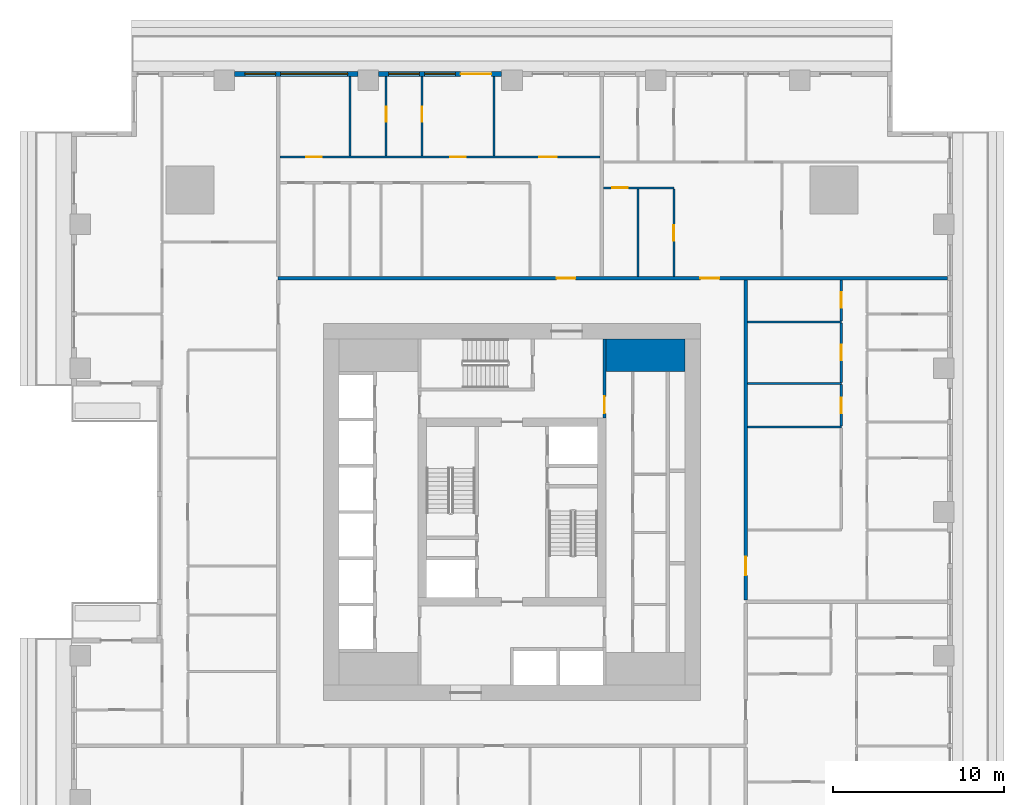
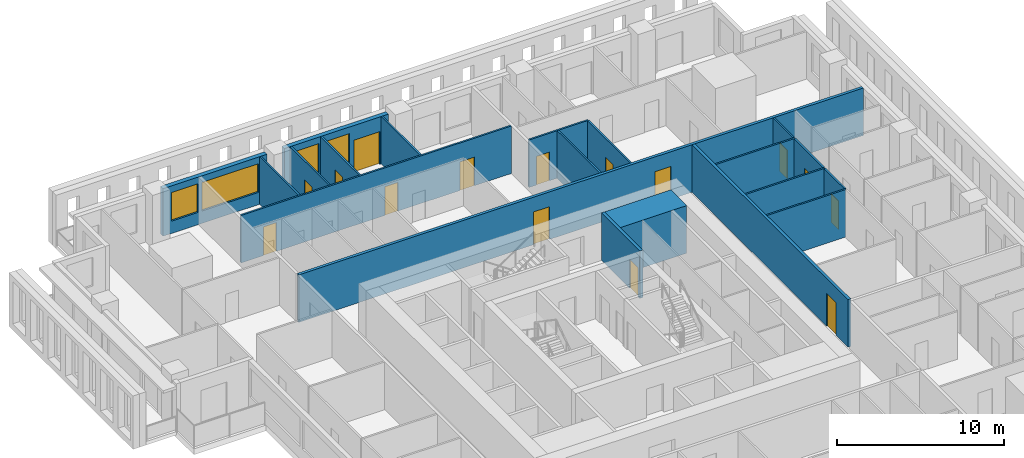
# One storey, part 8 of 15: 20 walls, 15 doors, 4 windows, 19 openings.
"""IFC4 building model written with IfcOpenShell, lengths in metres."""

from ifc_helpers import new_model, si_unit, direction, frame, frame_2d, origin, place, context, subcontext, project, spatial, rectangle, extrude, material, layer, layer_set, type_object, element, fill, save


model = new_model("IFC4")

# Units and contexts
model_context = context("Model", 3, precision=1e-05, world=origin(), true_north=direction((0.0, 1.0)))
body_context = subcontext(model_context, "Body", "Model", "MODEL_VIEW")
ifc_project = project(units=[si_unit("LENGTHUNIT", "METRE"), si_unit("AREAUNIT", "SQUARE_METRE"), si_unit("VOLUMEUNIT", "CUBIC_METRE"), si_unit("PLANEANGLEUNIT", "RADIAN"), si_unit("MASSUNIT", "GRAM", prefix="KILO")], contexts=[model_context])

# Site, building, storey
site_placement = place(None, origin())
site = spatial("IfcSite", under=ifc_project, at=site_placement, CompositionType="ELEMENT")
building_placement = place(site_placement, origin())
building = spatial("IfcBuilding", under=site, at=building_placement, Name="Khepri Terraces", CompositionType="ELEMENT")
storey_placement = place(building_placement, frame((0.0, 0.0, 94.800048828125)))
storey = spatial("IfcBuildingStorey", under=building, at=storey_placement, Name="L22", CompositionType="ELEMENT", Elevation=94.800048828125)

# Wall
ifc_material_1 = material(Name="Concrete C70/85", Category="concrete")
ifc_layer_1 = layer(ifc_material_1, 1.89990234375, Name="Concrete C70/85", Category="concrete")
ifc_layer_set_1 = layer_set([ifc_layer_1], Name="Concrete C70/85")
wall_type_1 = type_object("IfcWallType", Name="Core wall 1900 C70/85", PredefinedType="SHEAR", material=ifc_layer_set_1)
wall_1_placement = place(storey_placement, frame((5.5, 9.14990234375, 0.0), z_axis=(0.0, 0.0, 1.0), x_axis=(1.0, 0.0, 0.0)))
element("IfcWall", 1, at=wall_1_placement, inside=storey, type_object=wall_type_1, Name="Core wall PR04 L22", PredefinedType="SHEAR", context=body_context, shape_type="SweptSolid", body=[
    extrude(rectangle(XDim=4.60009765625, YDim=1.89990234375, at=frame_2d((2.300048828125, 0.0))), origin(), (0.0, 0.0, 1.0), 3.47998046875),
])

# Wall, opening, door
ifc_material_2 = material(Name="Fire-rated gypsum board partition")
ifc_layer_2 = layer(ifc_material_2, 0.199951171875, Name="Fire-rated gypsum board partition")
ifc_layer_set_2 = layer_set([ifc_layer_2], Name="Fire-rated gypsum board partition")
wall_type_2 = type_object("IfcWallType", Name="WL-CORE-PART-200", PredefinedType="PARTITIONING", material=ifc_layer_set_2)
wall_2_placement = place(storey_placement, frame((5.39990234375, 5.5, 0.0), z_axis=(0.0, 0.0, 1.0), x_axis=(0.0, 1.0, 0.0)))
wall_2 = element("IfcWall", 2, at=wall_2_placement, inside=storey, type_object=wall_type_2, Name="Core partition PT08 L22", PredefinedType="PARTITIONING", context=body_context, shape_type="SweptSolid", body=[
    extrude(rectangle(XDim=4.60009765625, YDim=0.199951171875, at=frame_2d((2.300048828125, 0.0))), origin(), (0.0, 0.0, 1.0), 3.47998046875),
])
opening_1_placement = place(wall_2_placement, frame((0.25, 0.0, 0.0)))
opening_1 = element("IfcOpeningElement", 3, at=opening_1_placement, cuts=wall_2, Name="Opening L22-C17", PredefinedType="OPENING", context=body_context, shape_type="SweptSolid", body=[
    extrude(rectangle(XDim=1.0, YDim=2.10009765625, at=frame_2d((0.5, 1.050048828125))), frame((0.0, 0.10986328125, 0.0), z_axis=(0.0, -1.0, 0.0), x_axis=(1.0, 0.0, 0.0)), (0.0, 0.0, 1.0), 0.219970703125),
])
ifc_material_3 = material(Name="Painted steel", Category="steel")
door_type_1 = type_object("IfcDoorType", Name="DR-CORE-LOBBY-1000", OperationType="NOTDEFINED", PredefinedType="DOOR", material=ifc_material_3)
door_1_placement = place(opening_1_placement, origin())
door_1 = element("IfcDoor", 4, at=door_1_placement, inside=storey, type_object=door_type_1, Name="Lobby door L22-C17", OperationType="SINGLE_SWING_LEFT", OverallHeight=2.10009765625, OverallWidth=1.0, PredefinedType="DOOR", context=body_context, shape_type="SweptSolid", body=[
    extrude(rectangle(XDim=1.0, YDim=2.10009765625, at=frame_2d((0.5, 1.050048828125))), frame((0.0, 0.02490234375, 0.0), z_axis=(0.0, -1.0, 0.0), x_axis=(1.0, 0.0, 0.0)), (0.0, 0.0, 1.0), 0.050048828125),
])
fill(opening_1, door_1)

ifc_material_4 = material(Name="Fire-rated gypsum plasterboard partition, mineral wool")
ifc_layer_3 = layer(ifc_material_4, 0.199951171875, Name="Fire-rated gypsum plasterboard partition, mineral wool")
ifc_layer_set_3 = layer_set([ifc_layer_3], Name="Fire-rated gypsum plasterboard partition, mineral wool")
wall_type_3 = type_object("IfcWallType", Name="WL-CORR-200", PredefinedType="PARTITIONING", material=ifc_layer_set_3)
wall_3_placement = place(storey_placement, frame((13.64990234375, -5.14990234375, 0.0), z_axis=(0.0, 0.0, 1.0), x_axis=(0.0, 1.0, 0.0)))
wall_3 = element("IfcWall", 5, at=wall_3_placement, inside=storey, type_object=wall_type_3, Name="Partition P-052 L22", PredefinedType="PARTITIONING", context=body_context, shape_type="SweptSolid", body=[
    extrude(rectangle(XDim=18.699951171875, YDim=0.199951171875, at=frame_2d((9.35009765625, 0.0))), origin(), (0.0, 0.0, 1.0), 3.47998046875),
])
opening_2_placement = place(wall_3_placement, frame((1.449951171875, 0.0, 0.0)))
opening_2 = element("IfcOpeningElement", 6, at=opening_2_placement, cuts=wall_3, Name="Opening D1", PredefinedType="OPENING", context=body_context, shape_type="SweptSolid", body=[
    extrude(rectangle(XDim=1.10009765625, YDim=2.39990234375, at=frame_2d((0.550048828125, 1.199951171875))), frame((0.0, 0.10986328125, 0.0), z_axis=(0.0, -1.0, 0.0), x_axis=(1.0, 0.0, 0.0)), (0.0, 0.0, 1.0), 0.219970703125),
])
ifc_material_5 = material(Name="Solid-core timber door leaf, flat entrance door", Category="wood")
door_type_2 = type_object("IfcDoorType", Name="DR-ENT-1100", OperationType="NOTDEFINED", PredefinedType="DOOR", material=ifc_material_5)
door_2_placement = place(opening_2_placement, frame((1.10009765625, 0.0, 0.0), z_axis=(0.0, 0.0, 1.0), x_axis=(-1.0, 0.0, 0.0)))
door_2 = element("IfcDoor", 7, at=door_2_placement, inside=storey, type_object=door_type_2, Name="Flat B2 entrance door", OperationType="SINGLE_SWING_RIGHT", OverallHeight=2.39990234375, OverallWidth=1.10009765625, PredefinedType="DOOR", context=body_context, shape_type="SweptSolid", body=[
    extrude(rectangle(XDim=1.10009765625, YDim=2.39990234375, at=frame_2d((0.550048828125, 1.199951171875))), frame((0.0, 0.02490234375, 0.0), z_axis=(0.0, -1.0, 0.0), x_axis=(1.0, 0.0, 0.0)), (0.0, 0.0, 1.0), 0.050048828125),
])
fill(opening_2, door_2)

# Wall, openings, doors
wall_4_placement = place(storey_placement, frame((-13.64990234375, 13.64990234375, 0.0), z_axis=(0.0, 0.0, 1.0), x_axis=(1.0, 0.0, 0.0)))
wall_4 = element("IfcWall", 8, at=wall_4_placement, inside=storey, type_object=wall_type_3, Name="Partition P-081 L22", PredefinedType="PARTITIONING", context=body_context, shape_type="SweptSolid", body=[
    extrude(rectangle(XDim=39.06982421875, YDim=0.199951171875, at=frame_2d((19.534912109375, 0.0))), origin(), (0.0, 0.0, 1.0), 3.47998046875),
])
opening_3_placement = place(wall_4_placement, frame((24.64990234375, 0.0, 0.0)))
opening_3 = element("IfcOpeningElement", 9, at=opening_3_placement, cuts=wall_4, Name="Opening D1", PredefinedType="OPENING", context=body_context, shape_type="SweptSolid", body=[
    extrude(rectangle(XDim=1.10009765625, YDim=2.39990234375, at=frame_2d((0.550048828125, 1.199951171875))), frame((0.0, 0.10986328125, 0.0), z_axis=(0.0, -1.0, 0.0), x_axis=(1.0, 0.0, 0.0)), (0.0, 0.0, 1.0), 0.219970703125),
])
opening_4_placement = place(wall_4_placement, frame((16.25, 0.0, 0.0)))
opening_4 = element("IfcOpeningElement", 10, at=opening_4_placement, cuts=wall_4, Name="Opening D1", PredefinedType="OPENING", context=body_context, shape_type="SweptSolid", body=[
    extrude(rectangle(XDim=1.10009765625, YDim=2.39990234375, at=frame_2d((0.550048828125, 1.199951171875))), frame((0.0, 0.10986328125, 0.0), z_axis=(0.0, -1.0, 0.0), x_axis=(1.0, 0.0, 0.0)), (0.0, 0.0, 1.0), 0.219970703125),
])
door_3_placement = place(opening_3_placement, origin())
door_3 = element("IfcDoor", 11, at=door_3_placement, inside=storey, type_object=door_type_2, Name="Flat C1 entrance door", OperationType="SINGLE_SWING_RIGHT", OverallHeight=2.39990234375, OverallWidth=1.10009765625, PredefinedType="DOOR", context=body_context, shape_type="SweptSolid", body=[
    extrude(rectangle(XDim=1.10009765625, YDim=2.39990234375, at=frame_2d((0.550048828125, 1.199951171875))), frame((0.0, 0.02490234375, 0.0), z_axis=(0.0, -1.0, 0.0), x_axis=(1.0, 0.0, 0.0)), (0.0, 0.0, 1.0), 0.050048828125),
])
fill(opening_3, door_3)
door_4_placement = place(opening_4_placement, origin())
door_4 = element("IfcDoor", 12, at=door_4_placement, inside=storey, type_object=door_type_2, Name="Flat C2 entrance door", OperationType="SINGLE_SWING_LEFT", OverallHeight=2.39990234375, OverallWidth=1.10009765625, PredefinedType="DOOR", context=body_context, shape_type="SweptSolid", body=[
    extrude(rectangle(XDim=1.10009765625, YDim=2.39990234375, at=frame_2d((0.550048828125, 1.199951171875))), frame((0.0, 0.02490234375, 0.0), z_axis=(0.0, -1.0, 0.0), x_axis=(1.0, 0.0, 0.0)), (0.0, 0.0, 1.0), 0.050048828125),
])
fill(opening_4, door_4)

# Wall, openings, door, windows
ifc_material_6 = material(Name="Precast concrete C50/60 warm stone", Category="masonry")
ifc_layer_4 = layer(ifc_material_6, 0.300048828125, Name="Precast concrete C50/60 warm stone", Category="masonry")
ifc_layer_set_4 = layer_set([ifc_layer_4], Name="Precast concrete C50/60 warm stone")
wall_type_4 = type_object("IfcWallType", Name="WL-EXT-PRECAST-300", PredefinedType="STANDARD", material=ifc_layer_set_4)
wall_5_placement = place(storey_placement, frame((-0.60009765625, 25.570068359375, 0.0), z_axis=(0.0, 0.0, 1.0), x_axis=(-1.0, 0.0, 0.0)))
wall_5 = element("IfcWall", 13, at=wall_5_placement, inside=storey, type_object=wall_type_4, Name="External wall L22 N", PredefinedType="STANDARD", context=body_context, shape_type="SweptSolid", body=[
    extrude(rectangle(XDim=7.199951171875, YDim=0.300048828125, at=frame_2d((3.60009765625, 0.0))), origin(), (0.0, 0.0, 1.0), 3.47998046875),
])
opening_5_placement = place(wall_5_placement, frame((0.60009765625, 0.0, 0.0)))
opening_5 = element("IfcOpeningElement", 14, at=opening_5_placement, cuts=wall_5, Name="Opening ED-L22-11", PredefinedType="OPENING", context=body_context, shape_type="SweptSolid", body=[
    extrude(rectangle(XDim=1.800048828125, YDim=2.39990234375, at=frame_2d((0.89990234375, 1.199951171875))), frame((0.0, 0.16015625, 0.0), z_axis=(0.0, -1.0, 0.0), x_axis=(1.0, 0.0, 0.0)), (0.0, 0.0, 1.0), 0.320068359375),
])
opening_6_placement = place(wall_5_placement, frame((2.699951171875, 0.0, 0.89990234375)))
opening_6 = element("IfcOpeningElement", 15, at=opening_6_placement, cuts=wall_5, Name="Opening W1", PredefinedType="OPENING", context=body_context, shape_type="SweptSolid", body=[
    extrude(rectangle(XDim=1.800048828125, YDim=2.10009765625, at=frame_2d((0.89990234375, 1.050048828125))), frame((0.0, 0.16015625, 0.0), z_axis=(0.0, -1.0, 0.0), x_axis=(1.0, 0.0, 0.0)), (0.0, 0.0, 1.0), 0.320068359375),
])
opening_7_placement = place(wall_5_placement, frame((4.800048828125, 0.0, 0.89990234375)))
opening_7 = element("IfcOpeningElement", 16, at=opening_7_placement, cuts=wall_5, Name="Opening W1", PredefinedType="OPENING", context=body_context, shape_type="SweptSolid", body=[
    extrude(rectangle(XDim=1.800048828125, YDim=2.10009765625, at=frame_2d((0.89990234375, 1.050048828125))), frame((0.0, 0.16015625, 0.0), z_axis=(0.0, -1.0, 0.0), x_axis=(1.0, 0.0, 0.0)), (0.0, 0.0, 1.0), 0.320068359375),
])
ifc_material_7 = material(Name="Anodised aluminium bronze glazed door", Category="aluminium")
door_type_3 = type_object("IfcDoorType", Name="DR-BAL-SLIDE-1800x2400", OperationType="NOTDEFINED", PredefinedType="DOOR", material=ifc_material_7)
door_5_placement = place(opening_5_placement, origin())
door_5 = element("IfcDoor", 17, at=door_5_placement, inside=storey, type_object=door_type_3, Name="Balcony door L22 N", OperationType="SLIDING_TO_LEFT", OverallHeight=2.39990234375, OverallWidth=1.800048828125, PredefinedType="DOOR", context=body_context, shape_type="SweptSolid", body=[
    extrude(rectangle(XDim=1.800048828125, YDim=2.39990234375, at=frame_2d((0.89990234375, 1.199951171875))), frame((0.0, 0.02490234375, 0.0), z_axis=(0.0, -1.0, 0.0), x_axis=(1.0, 0.0, 0.0)), (0.0, 0.0, 1.0), 0.050048828125),
])
fill(opening_5, door_5)
ifc_material_8 = material(Name="Clear glass", Category="glass")
window_type_1 = type_object("IfcWindowType", Name="WIN-RES-1800x2100", PartitioningType="SINGLE_PANEL", PredefinedType="WINDOW", material=ifc_material_8)
window_1_placement = place(opening_6_placement, origin())
window_1 = element("IfcWindow", 18, at=window_1_placement, inside=storey, type_object=window_type_1, Name="Window L22 N", OverallHeight=2.10009765625, OverallWidth=1.800048828125, PartitioningType="SINGLE_PANEL", PredefinedType="WINDOW", context=body_context, shape_type="SweptSolid", body=[
    extrude(rectangle(XDim=1.800048828125, YDim=2.10009765625, at=frame_2d((0.89990234375, 1.050048828125))), frame((0.0, 0.030029296875, 0.0), z_axis=(0.0, -1.0, 0.0), x_axis=(1.0, 0.0, 0.0)), (0.0, 0.0, 1.0), 0.06005859375),
])
fill(opening_6, window_1)
window_2_placement = place(opening_7_placement, origin())
window_2 = element("IfcWindow", 19, at=window_2_placement, inside=storey, type_object=window_type_1, Name="Window L22 N", OverallHeight=2.10009765625, OverallWidth=1.800048828125, PartitioningType="SINGLE_PANEL", PredefinedType="WINDOW", context=body_context, shape_type="SweptSolid", body=[
    extrude(rectangle(XDim=1.800048828125, YDim=2.10009765625, at=frame_2d((0.89990234375, 1.050048828125))), frame((0.0, 0.030029296875, 0.0), z_axis=(0.0, -1.0, 0.0), x_axis=(1.0, 0.0, 0.0)), (0.0, 0.0, 1.0), 0.06005859375),
])
fill(opening_7, window_2)

# Wall, openings, windows
wall_6_placement = place(storey_placement, frame((-9.0, 25.570068359375, 0.0), z_axis=(0.0, 0.0, 1.0), x_axis=(-1.0, 0.0, 0.0)))
wall_6 = element("IfcWall", 20, at=wall_6_placement, inside=storey, type_object=wall_type_4, Name="External wall L22 N", PredefinedType="STANDARD", context=body_context, shape_type="SweptSolid", body=[
    extrude(rectangle(XDim=7.199951171875, YDim=0.300048828125, at=frame_2d((3.60009765625, 0.0))), origin(), (0.0, 0.0, 1.0), 3.47998046875),
])
opening_8_placement = place(wall_6_placement, frame((0.60009765625, 0.0, 0.89990234375)))
opening_8 = element("IfcOpeningElement", 21, at=opening_8_placement, cuts=wall_6, Name="Opening W2", PredefinedType="OPENING", context=body_context, shape_type="SweptSolid", body=[
    extrude(rectangle(XDim=3.89990234375, YDim=2.10009765625, at=frame_2d((1.949951171875, 1.050048828125))), frame((0.0, 0.16015625, 0.0), z_axis=(0.0, -1.0, 0.0), x_axis=(1.0, 0.0, 0.0)), (0.0, 0.0, 1.0), 0.320068359375),
])
opening_9_placement = place(wall_6_placement, frame((4.800048828125, 0.0, 0.89990234375)))
opening_9 = element("IfcOpeningElement", 22, at=opening_9_placement, cuts=wall_6, Name="Opening W1", PredefinedType="OPENING", context=body_context, shape_type="SweptSolid", body=[
    extrude(rectangle(XDim=1.800048828125, YDim=2.10009765625, at=frame_2d((0.89990234375, 1.050048828125))), frame((0.0, 0.16015625, 0.0), z_axis=(0.0, -1.0, 0.0), x_axis=(1.0, 0.0, 0.0)), (0.0, 0.0, 1.0), 0.320068359375),
])
window_3_placement = place(opening_9_placement, origin())
window_3 = element("IfcWindow", 23, at=window_3_placement, inside=storey, type_object=window_type_1, Name="Window L22 N", OverallHeight=2.10009765625, OverallWidth=1.800048828125, PartitioningType="SINGLE_PANEL", PredefinedType="WINDOW", context=body_context, shape_type="SweptSolid", body=[
    extrude(rectangle(XDim=1.800048828125, YDim=2.10009765625, at=frame_2d((0.89990234375, 1.050048828125))), frame((0.0, 0.030029296875, 0.0), z_axis=(0.0, -1.0, 0.0), x_axis=(1.0, 0.0, 0.0)), (0.0, 0.0, 1.0), 0.06005859375),
])
fill(opening_9, window_3)
window_type_2 = type_object("IfcWindowType", Name="WIN-RES-3900x2100", PartitioningType="SINGLE_PANEL", PredefinedType="WINDOW", material=ifc_material_8)
window_4_placement = place(opening_8_placement, origin())
window_4 = element("IfcWindow", 24, at=window_4_placement, inside=storey, type_object=window_type_2, Name="Window L22 N", OverallHeight=2.10009765625, OverallWidth=3.89990234375, PartitioningType="SINGLE_PANEL", PredefinedType="WINDOW", context=body_context, shape_type="SweptSolid", body=[
    extrude(rectangle(XDim=3.89990234375, YDim=2.10009765625, at=frame_2d((1.949951171875, 1.050048828125))), frame((0.0, 0.030029296875, 0.0), z_axis=(0.0, -1.0, 0.0), x_axis=(1.0, 0.0, 0.0)), (0.0, 0.0, 1.0), 0.06005859375),
])
fill(opening_8, window_4)

# Wall
ifc_material_9 = material(Name="Gypsum plasterboard partition")
ifc_layer_5 = layer(ifc_material_9, 0.1201171875, Name="Gypsum plasterboard partition")
ifc_layer_set_5 = layer_set([ifc_layer_5], Name="Gypsum plasterboard partition")
wall_type_5 = type_object("IfcWallType", Name="WL-PART-120", PredefinedType="PARTITIONING", material=ifc_layer_set_5)
wall_7_placement = place(storey_placement, frame((13.75, 4.949951171875, 0.0), z_axis=(0.0, 0.0, 1.0), x_axis=(1.0, 0.0, 0.0)))
element("IfcWall", 25, at=wall_7_placement, inside=storey, type_object=wall_type_5, Name="Partition P-064 L22", PredefinedType="PARTITIONING", context=body_context, shape_type="SweptSolid", body=[
    extrude(rectangle(XDim=5.469970703125, YDim=0.1201171875, at=frame_2d((2.73486328125, 0.0))), origin(), (0.0, 0.0, 1.0), 3.47998046875),
])

# Wall, opening, door
wall_8_placement = place(storey_placement, frame((19.219970703125, 5.010009765625, 0.0), z_axis=(0.0, 0.0, 1.0), x_axis=(0.0, 1.0, 0.0)))
wall_8 = element("IfcWall", 26, at=wall_8_placement, inside=storey, type_object=wall_type_5, Name="Partition P-065 L22", PredefinedType="PARTITIONING", context=body_context, shape_type="SweptSolid", body=[
    extrude(rectangle(XDim=2.429931640625, YDim=0.1201171875, at=frame_2d((1.21484375, 0.0))), origin(), (0.0, 0.0, 1.0), 3.47998046875),
])
opening_10_placement = place(wall_8_placement, frame((0.764892578125, 0.0, 0.0)))
opening_10 = element("IfcOpeningElement", 27, at=opening_10_placement, cuts=wall_8, Name="Opening D4", PredefinedType="OPENING", context=body_context, shape_type="SweptSolid", body=[
    extrude(rectangle(XDim=0.89990234375, YDim=2.10009765625, at=frame_2d((0.449951171875, 1.050048828125))), frame((0.0, 0.070068359375, 0.0), z_axis=(0.0, -1.0, 0.0), x_axis=(1.0, 0.0, 0.0)), (0.0, 0.0, 1.0), 0.14013671875),
])
ifc_material_10 = material(Name="Timber door leaf, moisture resistant", Category="wood")
door_type_4 = type_object("IfcDoorType", Name="DR-WET-900", OperationType="NOTDEFINED", PredefinedType="DOOR", material=ifc_material_10)
door_6_placement = place(opening_10_placement, origin())
door_6 = element("IfcDoor", 28, at=door_6_placement, inside=storey, type_object=door_type_4, Name="Door Powder Room", OperationType="SINGLE_SWING_LEFT", OverallHeight=2.10009765625, OverallWidth=0.89990234375, PredefinedType="DOOR", context=body_context, shape_type="SweptSolid", body=[
    extrude(rectangle(XDim=0.89990234375, YDim=2.10009765625, at=frame_2d((0.449951171875, 1.050048828125))), frame((0.0, 0.02490234375, 0.0), z_axis=(0.0, -1.0, 0.0), x_axis=(1.0, 0.0, 0.0)), (0.0, 0.0, 1.0), 0.050048828125),
])
fill(opening_10, door_6)

# Wall
wall_9_placement = place(storey_placement, frame((13.75, 7.5, 0.0), z_axis=(0.0, 0.0, 1.0), x_axis=(1.0, 0.0, 0.0)))
element("IfcWall", 29, at=wall_9_placement, inside=storey, type_object=wall_type_5, Name="Partition P-070 L22", PredefinedType="PARTITIONING", context=body_context, shape_type="SweptSolid", body=[
    extrude(rectangle(XDim=5.469970703125, YDim=0.1201171875, at=frame_2d((2.73486328125, 0.0))), origin(), (0.0, 0.0, 1.0), 3.47998046875),
])

# Wall, opening, door
wall_10_placement = place(storey_placement, frame((19.219970703125, 7.56005859375, 0.0), z_axis=(0.0, 0.0, 1.0), x_axis=(0.0, 1.0, 0.0)))
wall_10 = element("IfcWall", 30, at=wall_10_placement, inside=storey, type_object=wall_type_5, Name="Partition P-071 L22", PredefinedType="PARTITIONING", context=body_context, shape_type="SweptSolid", body=[
    extrude(rectangle(XDim=3.47998046875, YDim=0.1201171875, at=frame_2d((1.739990234375, 0.0))), origin(), (0.0, 0.0, 1.0), 3.47998046875),
])
opening_11_placement = place(wall_10_placement, frame((1.2900390625, 0.0, 0.0)))
opening_11 = element("IfcOpeningElement", 31, at=opening_11_placement, cuts=wall_10, Name="Opening D3", PredefinedType="OPENING", context=body_context, shape_type="SweptSolid", body=[
    extrude(rectangle(XDim=0.89990234375, YDim=2.10009765625, at=frame_2d((0.449951171875, 1.050048828125))), frame((0.0, 0.070068359375, 0.0), z_axis=(0.0, -1.0, 0.0), x_axis=(1.0, 0.0, 0.0)), (0.0, 0.0, 1.0), 0.14013671875),
])
ifc_material_11 = material(Name="Timber door leaf", Category="wood")
door_type_5 = type_object("IfcDoorType", Name="DR-INT-900", OperationType="NOTDEFINED", PredefinedType="DOOR", material=ifc_material_11)
door_7_placement = place(opening_11_placement, origin())
door_7 = element("IfcDoor", 32, at=door_7_placement, inside=storey, type_object=door_type_5, Name="Door Staff Bedroom", OperationType="SINGLE_SWING_RIGHT", OverallHeight=2.10009765625, OverallWidth=0.89990234375, PredefinedType="DOOR", context=body_context, shape_type="SweptSolid", body=[
    extrude(rectangle(XDim=0.89990234375, YDim=2.10009765625, at=frame_2d((0.449951171875, 1.050048828125))), frame((0.0, 0.02490234375, 0.0), z_axis=(0.0, -1.0, 0.0), x_axis=(1.0, 0.0, 0.0)), (0.0, 0.0, 1.0), 0.050048828125),
])
fill(opening_11, door_7)

# Wall
wall_11_placement = place(storey_placement, frame((13.75, 11.10009765625, 0.0), z_axis=(0.0, 0.0, 1.0), x_axis=(1.0, 0.0, 0.0)))
element("IfcWall", 33, at=wall_11_placement, inside=storey, type_object=wall_type_5, Name="Partition P-075 L22", PredefinedType="PARTITIONING", context=body_context, shape_type="SweptSolid", body=[
    extrude(rectangle(XDim=5.469970703125, YDim=0.1201171875, at=frame_2d((2.73486328125, 0.0))), origin(), (0.0, 0.0, 1.0), 3.47998046875),
])

# Wall, opening, door
wall_12_placement = place(storey_placement, frame((19.219970703125, 11.159912109375, 0.0), z_axis=(0.0, 0.0, 1.0), x_axis=(0.0, 1.0, 0.0)))
wall_12 = element("IfcWall", 34, at=wall_12_placement, inside=storey, type_object=wall_type_5, Name="Partition P-076 L22", PredefinedType="PARTITIONING", context=body_context, shape_type="SweptSolid", body=[
    extrude(rectangle(XDim=2.39013671875, YDim=0.1201171875, at=frame_2d((1.195068359375, 0.0))), origin(), (0.0, 0.0, 1.0), 3.47998046875),
])
opening_12_placement = place(wall_12_placement, frame((0.764892578125, 0.0, 0.0)))
opening_12 = element("IfcOpeningElement", 35, at=opening_12_placement, cuts=wall_12, Name="Opening D4", PredefinedType="OPENING", context=body_context, shape_type="SweptSolid", body=[
    extrude(rectangle(XDim=0.89990234375, YDim=2.10009765625, at=frame_2d((0.449951171875, 1.050048828125))), frame((0.0, 0.070068359375, 0.0), z_axis=(0.0, -1.0, 0.0), x_axis=(1.0, 0.0, 0.0)), (0.0, 0.0, 1.0), 0.14013671875),
])
door_8_placement = place(opening_12_placement, origin())
door_8 = element("IfcDoor", 36, at=door_8_placement, inside=storey, type_object=door_type_4, Name="Door Guest Bathroom", OperationType="SINGLE_SWING_RIGHT", OverallHeight=2.10009765625, OverallWidth=0.89990234375, PredefinedType="DOOR", context=body_context, shape_type="SweptSolid", body=[
    extrude(rectangle(XDim=0.89990234375, YDim=2.10009765625, at=frame_2d((0.449951171875, 1.050048828125))), frame((0.0, 0.02490234375, 0.0), z_axis=(0.0, -1.0, 0.0), x_axis=(1.0, 0.0, 0.0)), (0.0, 0.0, 1.0), 0.050048828125),
])
fill(opening_12, door_8)

# Wall
wall_13_placement = place(storey_placement, frame((7.35009765625, 13.75, 0.0), z_axis=(0.0, 0.0, 1.0), x_axis=(0.0, 1.0, 0.0)))
element("IfcWall", 37, at=wall_13_placement, inside=storey, type_object=wall_type_5, Name="Partition P-089 L22", PredefinedType="PARTITIONING", context=body_context, shape_type="SweptSolid", body=[
    extrude(rectangle(XDim=5.110107421875, YDim=0.1201171875, at=frame_2d((2.55517578125, 0.0))), origin(), (0.0, 0.0, 1.0), 3.47998046875),
])

# Wall, opening, door
wall_14_placement = place(storey_placement, frame((9.449951171875, 13.75, 0.0), z_axis=(0.0, 0.0, 1.0), x_axis=(0.0, 1.0, 0.0)))
wall_14 = element("IfcWall", 38, at=wall_14_placement, inside=storey, type_object=wall_type_5, Name="Partition P-090 L22", PredefinedType="PARTITIONING", context=body_context, shape_type="SweptSolid", body=[
    extrude(rectangle(XDim=5.110107421875, YDim=0.1201171875, at=frame_2d((2.55517578125, 0.0))), origin(), (0.0, 0.0, 1.0), 3.47998046875),
])
opening_13_placement = place(wall_14_placement, frame((2.0849609375, 0.0, 0.0)))
opening_13 = element("IfcOpeningElement", 39, at=opening_13_placement, cuts=wall_14, Name="Opening D4", PredefinedType="OPENING", context=body_context, shape_type="SweptSolid", body=[
    extrude(rectangle(XDim=0.89990234375, YDim=2.10009765625, at=frame_2d((0.449951171875, 1.050048828125))), frame((0.0, 0.070068359375, 0.0), z_axis=(0.0, -1.0, 0.0), x_axis=(1.0, 0.0, 0.0)), (0.0, 0.0, 1.0), 0.14013671875),
])
door_9_placement = place(opening_13_placement, origin())
door_9 = element("IfcDoor", 40, at=door_9_placement, inside=storey, type_object=door_type_4, Name="Door Guest Bathroom", OperationType="SINGLE_SWING_LEFT", OverallHeight=2.10009765625, OverallWidth=0.89990234375, PredefinedType="DOOR", context=body_context, shape_type="SweptSolid", body=[
    extrude(rectangle(XDim=0.89990234375, YDim=2.10009765625, at=frame_2d((0.449951171875, 1.050048828125))), frame((0.0, 0.02490234375, 0.0), z_axis=(0.0, -1.0, 0.0), x_axis=(1.0, 0.0, 0.0)), (0.0, 0.0, 1.0), 0.050048828125),
])
fill(opening_13, door_9)

wall_15_placement = place(storey_placement, frame((5.35009765625, 18.919921875, 0.0), z_axis=(0.0, 0.0, 1.0), x_axis=(1.0, 0.0, 0.0)))
wall_15 = element("IfcWall", 41, at=wall_15_placement, inside=storey, type_object=wall_type_5, Name="Partition P-094 L22", PredefinedType="PARTITIONING", context=body_context, shape_type="SweptSolid", body=[
    extrude(rectangle(XDim=4.099853515625, YDim=0.1201171875, at=frame_2d((2.0498046875, 0.0))), origin(), (0.0, 0.0, 1.0), 3.47998046875),
])
opening_14_placement = place(wall_15_placement, frame((0.5, 0.0, 0.0)))
opening_14 = element("IfcOpeningElement", 42, at=opening_14_placement, cuts=wall_15, Name="Opening D3", PredefinedType="OPENING", context=body_context, shape_type="SweptSolid", body=[
    extrude(rectangle(XDim=0.89990234375, YDim=2.10009765625, at=frame_2d((0.449951171875, 1.050048828125))), frame((0.0, 0.070068359375, 0.0), z_axis=(0.0, -1.0, 0.0), x_axis=(1.0, 0.0, 0.0)), (0.0, 0.0, 1.0), 0.14013671875),
])
door_10_placement = place(opening_14_placement, frame((0.89990234375, 0.0, 0.0), z_axis=(0.0, 0.0, 1.0), x_axis=(-1.0, 0.0, 0.0)))
door_10 = element("IfcDoor", 43, at=door_10_placement, inside=storey, type_object=door_type_5, Name="Door Kitchen", OperationType="SINGLE_SWING_RIGHT", OverallHeight=2.10009765625, OverallWidth=0.89990234375, PredefinedType="DOOR", context=body_context, shape_type="SweptSolid", body=[
    extrude(rectangle(XDim=0.89990234375, YDim=2.10009765625, at=frame_2d((0.449951171875, 1.050048828125))), frame((0.0, 0.02490234375, 0.0), z_axis=(0.0, -1.0, 0.0), x_axis=(1.0, 0.0, 0.0)), (0.0, 0.0, 1.0), 0.050048828125),
])
fill(opening_14, door_10)

# Wall, openings, doors
wall_16_placement = place(storey_placement, frame((-13.550048828125, 20.719970703125, 0.0), z_axis=(0.0, 0.0, 1.0), x_axis=(1.0, 0.0, 0.0)))
wall_16 = element("IfcWall", 44, at=wall_16_placement, inside=storey, type_object=wall_type_5, Name="Partition P-100 L22", PredefinedType="PARTITIONING", context=body_context, shape_type="SweptSolid", body=[
    extrude(rectangle(XDim=18.699951171875, YDim=0.1201171875, at=frame_2d((9.35009765625, 0.0))), origin(), (0.0, 0.0, 1.0), 3.47998046875),
])
opening_15_placement = place(wall_16_placement, frame((15.14990234375, 0.0, 0.0)))
opening_15 = element("IfcOpeningElement", 45, at=opening_15_placement, cuts=wall_16, Name="Opening D2", PredefinedType="OPENING", context=body_context, shape_type="SweptSolid", body=[
    extrude(rectangle(XDim=1.0, YDim=2.10009765625, at=frame_2d((0.5, 1.050048828125))), frame((0.0, 0.070068359375, 0.0), z_axis=(0.0, -1.0, 0.0), x_axis=(1.0, 0.0, 0.0)), (0.0, 0.0, 1.0), 0.14013671875),
])
opening_16_placement = place(wall_16_placement, frame((9.949951171875, 0.0, 0.0)))
opening_16 = element("IfcOpeningElement", 46, at=opening_16_placement, cuts=wall_16, Name="Opening D3", PredefinedType="OPENING", context=body_context, shape_type="SweptSolid", body=[
    extrude(rectangle(XDim=0.89990234375, YDim=2.10009765625, at=frame_2d((0.449951171875, 1.050048828125))), frame((0.0, 0.070068359375, 0.0), z_axis=(0.0, -1.0, 0.0), x_axis=(1.0, 0.0, 0.0)), (0.0, 0.0, 1.0), 0.14013671875),
])
opening_17_placement = place(wall_16_placement, frame((1.550048828125, 0.0, 0.0)))
opening_17 = element("IfcOpeningElement", 47, at=opening_17_placement, cuts=wall_16, Name="Opening D3", PredefinedType="OPENING", context=body_context, shape_type="SweptSolid", body=[
    extrude(rectangle(XDim=0.89990234375, YDim=2.10009765625, at=frame_2d((0.449951171875, 1.050048828125))), frame((0.0, 0.070068359375, 0.0), z_axis=(0.0, -1.0, 0.0), x_axis=(1.0, 0.0, 0.0)), (0.0, 0.0, 1.0), 0.14013671875),
])
ifc_material_12 = material(Name="Timber door leaf, living room door", Category="wood")
door_type_6 = type_object("IfcDoorType", Name="DR-INT-1000", OperationType="NOTDEFINED", PredefinedType="DOOR", material=ifc_material_12)
door_11_placement = place(opening_15_placement, origin())
door_11 = element("IfcDoor", 48, at=door_11_placement, inside=storey, type_object=door_type_6, Name="Door Living Room", OperationType="SINGLE_SWING_RIGHT", OverallHeight=2.10009765625, OverallWidth=1.0, PredefinedType="DOOR", context=body_context, shape_type="SweptSolid", body=[
    extrude(rectangle(XDim=1.0, YDim=2.10009765625, at=frame_2d((0.5, 1.050048828125))), frame((0.0, 0.02490234375, 0.0), z_axis=(0.0, -1.0, 0.0), x_axis=(1.0, 0.0, 0.0)), (0.0, 0.0, 1.0), 0.050048828125),
])
fill(opening_15, door_11)
door_12_placement = place(opening_16_placement, origin())
door_12 = element("IfcDoor", 49, at=door_12_placement, inside=storey, type_object=door_type_5, Name="Door Master Bedroom", OperationType="SINGLE_SWING_RIGHT", OverallHeight=2.10009765625, OverallWidth=0.89990234375, PredefinedType="DOOR", context=body_context, shape_type="SweptSolid", body=[
    extrude(rectangle(XDim=0.89990234375, YDim=2.10009765625, at=frame_2d((0.449951171875, 1.050048828125))), frame((0.0, 0.02490234375, 0.0), z_axis=(0.0, -1.0, 0.0), x_axis=(1.0, 0.0, 0.0)), (0.0, 0.0, 1.0), 0.050048828125),
])
fill(opening_16, door_12)
door_13_placement = place(opening_17_placement, origin())
door_13 = element("IfcDoor", 50, at=door_13_placement, inside=storey, type_object=door_type_5, Name="Door Study", OperationType="SINGLE_SWING_LEFT", OverallHeight=2.10009765625, OverallWidth=0.89990234375, PredefinedType="DOOR", context=body_context, shape_type="SweptSolid", body=[
    extrude(rectangle(XDim=0.89990234375, YDim=2.10009765625, at=frame_2d((0.449951171875, 1.050048828125))), frame((0.0, 0.02490234375, 0.0), z_axis=(0.0, -1.0, 0.0), x_axis=(1.0, 0.0, 0.0)), (0.0, 0.0, 1.0), 0.050048828125),
])
fill(opening_17, door_13)

# Wall
wall_17_placement = place(storey_placement, frame((-9.449951171875, 20.780029296875, 0.0), z_axis=(0.0, 0.0, 1.0), x_axis=(0.0, 1.0, 0.0)))
element("IfcWall", 51, at=wall_17_placement, inside=storey, type_object=wall_type_5, Name="Partition P-101 L22", PredefinedType="PARTITIONING", context=body_context, shape_type="SweptSolid", body=[
    extrude(rectangle(XDim=4.639892578125, YDim=0.1201171875, at=frame_2d((2.31982421875, 0.0))), origin(), (0.0, 0.0, 1.0), 3.47998046875),
])

# Wall, opening, door
wall_18_placement = place(storey_placement, frame((-7.35009765625, 20.780029296875, 0.0), z_axis=(0.0, 0.0, 1.0), x_axis=(0.0, 1.0, 0.0)))
wall_18 = element("IfcWall", 52, at=wall_18_placement, inside=storey, type_object=wall_type_5, Name="Partition P-102 L22", PredefinedType="PARTITIONING", context=body_context, shape_type="SweptSolid", body=[
    extrude(rectangle(XDim=4.639892578125, YDim=0.1201171875, at=frame_2d((2.31982421875, 0.0))), origin(), (0.0, 0.0, 1.0), 3.47998046875),
])
opening_18_placement = place(wall_18_placement, frame((1.989990234375, 0.0, 0.0)))
opening_18 = element("IfcOpeningElement", 53, at=opening_18_placement, cuts=wall_18, Name="Opening D4", PredefinedType="OPENING", context=body_context, shape_type="SweptSolid", body=[
    extrude(rectangle(XDim=0.89990234375, YDim=2.10009765625, at=frame_2d((0.449951171875, 1.050048828125))), frame((0.0, 0.070068359375, 0.0), z_axis=(0.0, -1.0, 0.0), x_axis=(1.0, 0.0, 0.0)), (0.0, 0.0, 1.0), 0.14013671875),
])
door_14_placement = place(opening_18_placement, origin())
door_14 = element("IfcDoor", 54, at=door_14_placement, inside=storey, type_object=door_type_4, Name="Door Bathroom", OperationType="SINGLE_SWING_RIGHT", OverallHeight=2.10009765625, OverallWidth=0.89990234375, PredefinedType="DOOR", context=body_context, shape_type="SweptSolid", body=[
    extrude(rectangle(XDim=0.89990234375, YDim=2.10009765625, at=frame_2d((0.449951171875, 1.050048828125))), frame((0.0, 0.02490234375, 0.0), z_axis=(0.0, -1.0, 0.0), x_axis=(1.0, 0.0, 0.0)), (0.0, 0.0, 1.0), 0.050048828125),
])
fill(opening_18, door_14)

wall_19_placement = place(storey_placement, frame((-5.25, 20.780029296875, 0.0), z_axis=(0.0, 0.0, 1.0), x_axis=(0.0, 1.0, 0.0)))
wall_19 = element("IfcWall", 55, at=wall_19_placement, inside=storey, type_object=wall_type_5, Name="Partition P-103 L22", PredefinedType="PARTITIONING", context=body_context, shape_type="SweptSolid", body=[
    extrude(rectangle(XDim=4.639892578125, YDim=0.1201171875, at=frame_2d((2.31982421875, 0.0))), origin(), (0.0, 0.0, 1.0), 3.47998046875),
])
opening_19_placement = place(wall_19_placement, frame((1.989990234375, 0.0, 0.0)))
opening_19 = element("IfcOpeningElement", 56, at=opening_19_placement, cuts=wall_19, Name="Opening D3", PredefinedType="OPENING", context=body_context, shape_type="SweptSolid", body=[
    extrude(rectangle(XDim=0.89990234375, YDim=2.10009765625, at=frame_2d((0.449951171875, 1.050048828125))), frame((0.0, 0.070068359375, 0.0), z_axis=(0.0, -1.0, 0.0), x_axis=(1.0, 0.0, 0.0)), (0.0, 0.0, 1.0), 0.14013671875),
])
door_15_placement = place(opening_19_placement, origin())
door_15 = element("IfcDoor", 57, at=door_15_placement, inside=storey, type_object=door_type_5, Name="Door Dressing Room", OperationType="SINGLE_SWING_RIGHT", OverallHeight=2.10009765625, OverallWidth=0.89990234375, PredefinedType="DOOR", context=body_context, shape_type="SweptSolid", body=[
    extrude(rectangle(XDim=0.89990234375, YDim=2.10009765625, at=frame_2d((0.449951171875, 1.050048828125))), frame((0.0, 0.02490234375, 0.0), z_axis=(0.0, -1.0, 0.0), x_axis=(1.0, 0.0, 0.0)), (0.0, 0.0, 1.0), 0.050048828125),
])
fill(opening_19, door_15)

# Wall
wall_20_placement = place(storey_placement, frame((-1.050048828125, 20.780029296875, 0.0), z_axis=(0.0, 0.0, 1.0), x_axis=(0.0, 1.0, 0.0)))
element("IfcWall", 58, at=wall_20_placement, inside=storey, type_object=wall_type_5, Name="Partition P-104 L22", PredefinedType="PARTITIONING", context=body_context, shape_type="SweptSolid", body=[
    extrude(rectangle(XDim=4.639892578125, YDim=0.1201171875, at=frame_2d((2.31982421875, 0.0))), origin(), (0.0, 0.0, 1.0), 3.47998046875),
])

save(model, "model.ifc")
